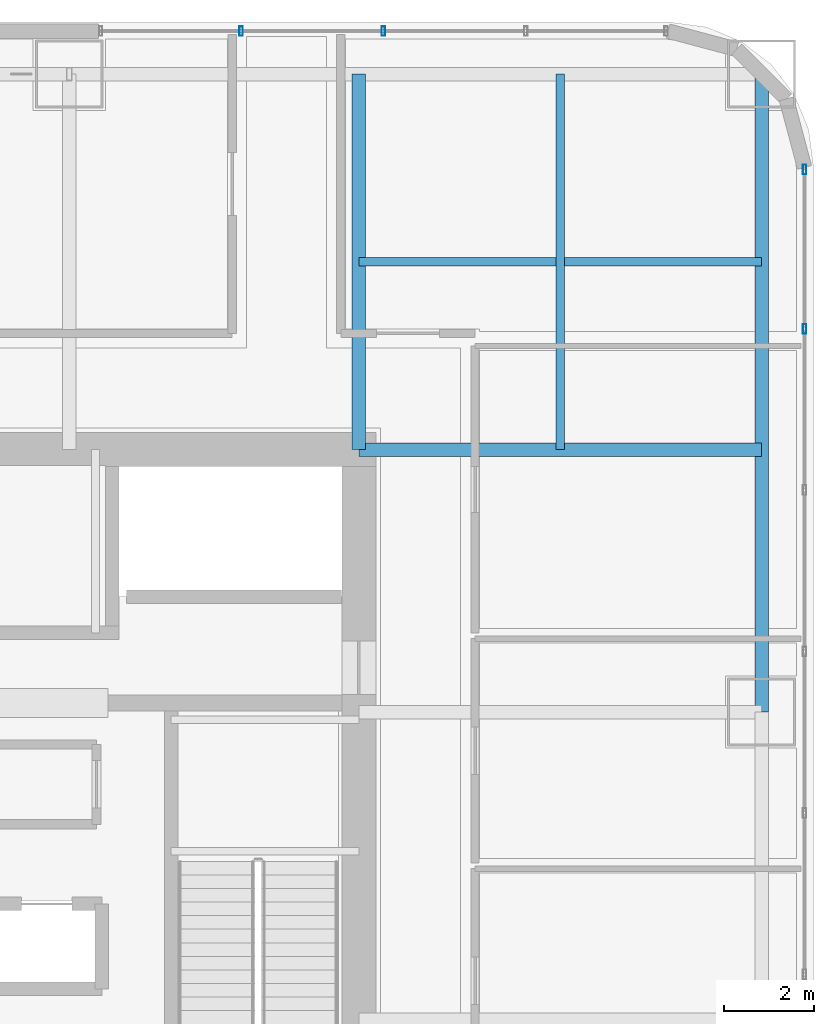
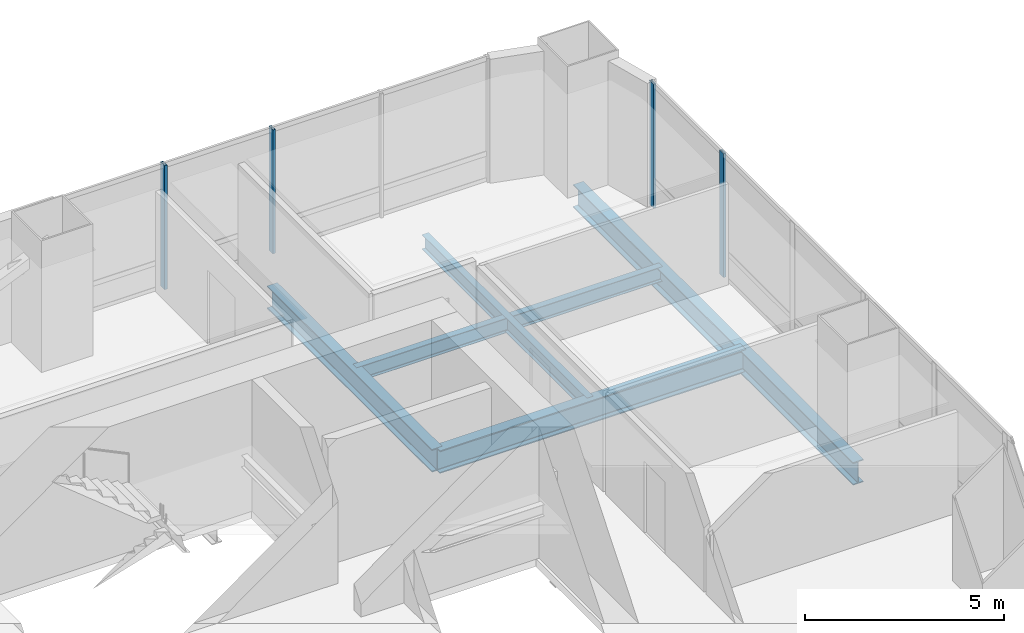
# One storey, part 21 of 37: 5 beams, 4 members, 2 elements without a shape of their own.
"""IFC4 building model written with IfcOpenShell, lengths in metres."""

import ifcopenshell
import ifcopenshell.guid

model = None  # the IFC model being written
_history = None  # IfcOwnerHistory: only IFC2X3 demands one
_inside = {}  # id of a spatial element -> (the spatial element, [elements in it])
_under = {}  # id of a project, library or spatial element -> (it, [spatial elements below it])
_declared = {}  # id of a project -> (the project, [libraries it declares])
_typed = {}  # id of a type object -> (the type object, [elements of that type])
_made_of = {}  # id of a material, layer set ... -> (it, [elements and type objects made of it])


def new_model(schema):
    """Start an empty IFC model of exactly this schema.

    Asked for "IFC4X3", IfcOpenShell would pick the latest addendum, in which some entities
    have other attributes; the version numbers below select the first issue.
    IFC2X3 requires an IfcOwnerHistory on every rooted entity: one is made here for all.
    """
    global model, _history
    if schema == "IFC4X3":
        model = ifcopenshell.file(schema_version=(4, 3, 0, 0))
    else:
        model = ifcopenshell.file(schema=schema)
    _inside.clear()
    _under.clear()
    _declared.clear()
    _typed.clear()
    _made_of.clear()
    _history = None
    if model.schema == "IFC2X3":
        org = make("IfcOrganization", Name="unknown")
        user = make(
            "IfcPersonAndOrganization",
            ThePerson=make("IfcPerson", FamilyName="unknown"),
            TheOrganization=org,
        )
        app = make(
            "IfcApplication",
            ApplicationDeveloper=org,
            Version="unknown",
            ApplicationFullName="unknown",
            ApplicationIdentifier="unknown",
        )
        _history = make(
            "IfcOwnerHistory",
            OwningUser=user,
            OwningApplication=app,
            ChangeAction="ADDED",
            CreationDate=0,
        )
    return model


def make(cls, **values):
    """One entity of the class cls with the attributes given. An attribute that is None is left unset."""
    return model.create_entity(
        cls, **{name: value for name, value in values.items() if value is not None}
    )


def rooted(cls, **values):
    """An entity with a GlobalId (a new one), such as an element, a storey or a relation."""
    return make(cls, GlobalId=ifcopenshell.guid.new(), OwnerHistory=_history, **values)


def si_unit(unit_type, name, prefix=None):
    """IfcSIUnit, for example si_unit("LENGTHUNIT", "METRE", prefix="MILLI")."""
    return make("IfcSIUnit", UnitType=unit_type, Prefix=prefix, Name=name)


def assignment(units):
    """IfcUnitAssignment: the units of a project."""
    return None if units is None else make("IfcUnitAssignment", Units=units)


def point(xyz):
    """IfcCartesianPoint."""
    return None if xyz is None else make("IfcCartesianPoint", Coordinates=xyz)


def direction(xyz):
    """IfcDirection."""
    return None if xyz is None else make("IfcDirection", DirectionRatios=xyz)


def frame(location, z_axis=None, x_axis=None):
    """IfcAxis2Placement3D, a coordinate frame: its origin and axes. An axis left out is left unset."""
    return make(
        "IfcAxis2Placement3D",
        Location=point(location),
        Axis=direction(z_axis),
        RefDirection=direction(x_axis),
    )


def frame_2d(location, x_axis=None):
    """IfcAxis2Placement2D, a coordinate frame in the plane: its origin and x axis."""
    return make(
        "IfcAxis2Placement2D", Location=point(location), RefDirection=direction(x_axis)
    )


def origin():
    """The frame at (0, 0, 0) with its axes left unset."""
    return frame((0.0, 0.0, 0.0))


def origin_2d():
    """The frame at (0, 0) in the plane with its x axis left unset."""
    return frame_2d((0.0, 0.0))


def place(relative_to, where):
    """IfcLocalPlacement: puts the frame where relative to a parent placement (None: the world)."""
    return make(
        "IfcLocalPlacement", PlacementRelTo=relative_to, RelativePlacement=where
    )


def context(
    kind, dimensions, precision=None, world=None, true_north=None, identifier=None
):
    """IfcGeometricRepresentationContext, for example the 3D "Model" context."""
    return make(
        "IfcGeometricRepresentationContext",
        ContextIdentifier=identifier,
        ContextType=kind,
        CoordinateSpaceDimension=dimensions,
        Precision=precision,
        WorldCoordinateSystem=world,
        TrueNorth=true_north,
    )


def subcontext(parent, identifier, kind, view, scale=None):
    """IfcGeometricRepresentationSubContext, for example "Body" below "Model"."""
    return make(
        "IfcGeometricRepresentationSubContext",
        ContextIdentifier=identifier,
        ContextType=kind,
        ParentContext=parent,
        TargetScale=scale,
        TargetView=view,
    )


def project(units=None, contexts=None):
    """IfcProject with its units and contexts."""
    return rooted(
        "IfcProject",
        Name="project",
        RepresentationContexts=contexts,
        UnitsInContext=assignment(units),
    )


def spatial(cls, under=None, at=None, **own):
    """A site, building, storey or space (cls), placed at a placement, below another one or the project."""
    s = rooted(cls, ObjectPlacement=at, **own)
    if under is not None:
        _under.setdefault(under.id(), (under, []))[1].append(s)
    return s


def profile(cls, at=None, kind="AREA", **sizes):
    """A parametric profile (cls). Its sizes go by their IFC names, for example OverallWidth=200.0."""
    return make(cls, ProfileType=kind, Position=at, **sizes)


def hollow_rectangle(**sizes):
    """IfcRectangleHollowProfileDef."""
    return profile("IfcRectangleHollowProfileDef", **sizes)


def i_section(**sizes):
    """IfcIShapeProfileDef."""
    return profile("IfcIShapeProfileDef", **sizes)


def extrude(swept, where, along, depth):
    """IfcExtrudedAreaSolid: the profile swept, set in the frame where, extruded along a direction by depth."""
    return make(
        "IfcExtrudedAreaSolid",
        SweptArea=swept,
        Position=where,
        ExtrudedDirection=direction(along),
        Depth=depth,
    )


def shape(context_of_items, identifier, shape_type, items):
    """IfcShapeRepresentation: the items that make up one representation, for example the "Body"."""
    return make(
        "IfcShapeRepresentation",
        ContextOfItems=context_of_items,
        RepresentationIdentifier=identifier,
        RepresentationType=shape_type,
        Items=items,
    )


def material(Name=None, Category=None):
    """IfcMaterial."""
    return make("IfcMaterial", Name=Name, Category=Category)


def material_profile(
    of_material, cross_section, Name=None, Category=None, Priority=None
):
    """IfcMaterialProfile: a cross section and its material."""
    return make(
        "IfcMaterialProfile",
        Name=Name,
        Material=of_material,
        Profile=cross_section,
        Priority=Priority,
        Category=Category,
    )


def profile_set(profiles, Name=None, composite=None):
    """IfcMaterialProfileSet."""
    return make(
        "IfcMaterialProfileSet",
        Name=Name,
        MaterialProfiles=profiles,
        CompositeProfile=composite,
    )


def made_of(thing, what):
    """Note that an element or type object is made of a material, layer set ...; save() writes the relation."""
    if what is not None:
        _made_of.setdefault(what.id(), (what, []))[1].append(thing)
    return thing


def type_object(cls, material=None, **own):
    """A type object (cls), such as IfcWallType, which elements share."""
    return made_of(rooted(cls, **own), material)


def element(
    cls,
    number,
    at=None,
    inside=None,
    cuts=None,
    type_object=None,
    material=None,
    context=None,
    identifier="Body",
    shape_type=None,
    held_by="IfcProductDefinitionShape",
    body=None,
    shapes=None,
    **own,
):
    """One element of the class cls, such as IfcWall. Its Tag is "e" and its number.

    at: its placement. inside: the storey or other place that contains it. cuts: it is an
    opening in that element (IfcRelVoidsElement). A single representation is given by context,
    identifier, shape_type and body (its items); several are given by shapes. held_by: the class
    of the entity that holds the representations. save() writes the other relations.
    """
    e = rooted(cls, Tag="e%d" % number, ObjectPlacement=at, **own)
    if body is not None:
        shapes = [shape(context, identifier, shape_type, body)]
    if shapes is not None:
        e.Representation = make(held_by, Representations=shapes)
    if inside is not None:
        _inside.setdefault(inside.id(), (inside, []))[1].append(e)
    if cuts is not None:
        rooted(
            "IfcRelVoidsElement", RelatingBuildingElement=cuts, RelatedOpeningElement=e
        )
    if type_object is not None:
        _typed.setdefault(type_object.id(), (type_object, []))[1].append(e)
    return made_of(e, material)


def aggregate(whole, parts):
    """IfcRelAggregates: a whole, such as a stair, and the parts it consists of."""
    return rooted("IfcRelAggregates", RelatingObject=whole, RelatedObjects=parts)


def save(model, path):
    """Write the relations noted so far, then the file.

    IfcRelAggregates (storeys below a building ...), IfcRelContainedInSpatialStructure (elements
    in a storey), IfcRelDefinesByType, IfcRelAssociatesMaterial and IfcRelDeclares: one each for
    every whole, place, type object, material and project.
    """
    for whole, parts in _under.values():
        aggregate(whole, parts)
    for where, things in _inside.values():
        rooted(
            "IfcRelContainedInSpatialStructure",
            RelatedElements=things,
            RelatingStructure=where,
        )
    for kind, things in _typed.values():
        rooted("IfcRelDefinesByType", RelatedObjects=things, RelatingType=kind)
    for what, things in _made_of.values():
        rooted("IfcRelAssociatesMaterial", RelatedObjects=things, RelatingMaterial=what)
    for by, libraries in _declared.values():
        rooted("IfcRelDeclares", RelatingContext=by, RelatedDefinitions=libraries)
    model.write(path)


model = new_model("IFC4")

# Units and contexts
model_context = context("Model", 3, precision=1e-05, world=origin(), true_north=direction((0.0, 1.0)))
body_context = subcontext(model_context, "Body", "Model", "MODEL_VIEW")
ifc_project = project(units=[si_unit("LENGTHUNIT", "METRE"), si_unit("AREAUNIT", "SQUARE_METRE"), si_unit("VOLUMEUNIT", "CUBIC_METRE"), si_unit("PLANEANGLEUNIT", "RADIAN"), si_unit("MASSUNIT", "GRAM", prefix="KILO")], contexts=[model_context])

# Site, building, storey
site_placement = place(None, origin())
site = spatial("IfcSite", under=ifc_project, at=site_placement, CompositionType="ELEMENT")
building_placement = place(site_placement, origin())
building = spatial("IfcBuilding", under=site, at=building_placement, Name="Punatoya Terracotta Tower", CompositionType="ELEMENT")
storey_placement = place(building_placement, frame((0.0, 0.0, 44.39990234375)))
storey = spatial("IfcBuildingStorey", under=building, at=storey_placement, Name="L09", CompositionType="ELEMENT", Elevation=44.39990234375)

# Beams
ifc_material_1 = material(Name="Steel S355", Category="steel")
ifc_material_profile_1 = material_profile(ifc_material_1, i_section(OverallWidth=0.300048828125, OverallDepth=0.699951171875, WebThickness=0.01708984375, FlangeThickness=0.031982421875, FilletRadius=0.01806640625, at=origin_2d()))
ifc_profile_set_1 = profile_set([ifc_material_profile_1], Name="Steel S355")
beam_type_1 = type_object("IfcBeamType", Name="BM-PRI-700", PredefinedType="BEAM", material=ifc_profile_set_1)
beam_1_placement = place(storey_placement, frame((19.10009765625, 3.39990234375, -0.58984375), z_axis=(0.0, 1.0, 0.0), x_axis=(-1.0, 0.0, 0.0)))
element("IfcBeam", 1, at=beam_1_placement, inside=storey, type_object=beam_type_1, Name="BM-L09-RG-E3", PredefinedType="BEAM", context=body_context, shape_type="SweptSolid", body=[
    extrude(i_section(OverallWidth=0.300048828125, OverallDepth=0.699951171875, WebThickness=0.01708984375, FlangeThickness=0.031982421875, FilletRadius=0.01806640625, at=origin_2d()), origin(), (0.0, 0.0, 1.0), 14.10009765625),
])
beam_2_placement = place(storey_placement, frame((10.199951171875, 9.199951171875, -0.58984375), z_axis=(1.0, 0.0, 0.0), x_axis=(0.0, 1.0, 0.0)))
element("IfcBeam", 2, at=beam_2_placement, inside=storey, type_object=beam_type_1, Name="BM-L09-PR-EN", PredefinedType="BEAM", context=body_context, shape_type="SweptSolid", body=[
    extrude(i_section(OverallWidth=0.300048828125, OverallDepth=0.699951171875, WebThickness=0.01708984375, FlangeThickness=0.031982421875, FilletRadius=0.01806640625, at=origin_2d()), origin(), (0.0, 0.0, 1.0), 8.900146484375),
])
beam_3_placement = place(storey_placement, frame((10.199951171875, 9.199951171875, -0.58984375), z_axis=(0.0, 1.0, 0.0), x_axis=(-1.0, 0.0, 0.0)))
element("IfcBeam", 3, at=beam_3_placement, inside=storey, type_object=beam_type_1, Name="BM-L09-PR-N4", PredefinedType="BEAM", context=body_context, shape_type="SweptSolid", body=[
    extrude(i_section(OverallWidth=0.300048828125, OverallDepth=0.699951171875, WebThickness=0.01708984375, FlangeThickness=0.031982421875, FilletRadius=0.01806640625, at=origin_2d()), origin(), (0.0, 0.0, 1.0), 8.300048828125),
])
ifc_material_profile_2 = material_profile(ifc_material_1, i_section(OverallWidth=0.18994140625, OverallDepth=0.449951171875, WebThickness=0.009521484375, FlangeThickness=0.0146484375, FilletRadius=0.01806640625, at=origin_2d()))
ifc_profile_set_2 = profile_set([ifc_material_profile_2], Name="Steel S355")
beam_type_2 = type_object("IfcBeamType", Name="BM-SEC-450", PredefinedType="JOIST", material=ifc_profile_set_2)
beam_4_placement = place(storey_placement, frame((10.199951171875, 13.35009765625, -0.46484375), z_axis=(1.0, 0.0, 0.0), x_axis=(0.0, 1.0, 0.0)))
element("IfcBeam", 4, at=beam_4_placement, inside=storey, type_object=beam_type_2, Name="BM-L09-SJN-2", PredefinedType="JOIST", context=body_context, shape_type="SweptSolid", body=[
    extrude(i_section(OverallWidth=0.18994140625, OverallDepth=0.449951171875, WebThickness=0.009521484375, FlangeThickness=0.0146484375, FilletRadius=0.01806640625, at=origin_2d()), origin(), (0.0, 0.0, 1.0), 8.900146484375),
])
beam_5_placement = place(storey_placement, frame((14.64990234375, 9.199951171875, -0.46484375), z_axis=(0.0, 1.0, 0.0), x_axis=(-1.0, 0.0, 0.0)))
element("IfcBeam", 5, at=beam_5_placement, inside=storey, type_object=beam_type_2, Name="BM-L09-SJE-2", PredefinedType="JOIST", context=body_context, shape_type="SweptSolid", body=[
    extrude(i_section(OverallWidth=0.18994140625, OverallDepth=0.449951171875, WebThickness=0.009521484375, FlangeThickness=0.0146484375, FilletRadius=0.01806640625, at=origin_2d()), origin(), (0.0, 0.0, 1.0), 8.300048828125),
])

# Curtain wall, members
ifc_material_2 = material(Name="Aluminium 6063-T6 + Double Low-E Glass", Category="aluminium")
curtain_wall_type = type_object("IfcCurtainWallType", Name="CW-M1", PredefinedType="NOTDEFINED", material=ifc_material_2)
curtain_wall_1_placement = place(storey_placement, origin())
curtain_wall_1 = element("IfcCurtainWall", 6, at=curtain_wall_1_placement, inside=storey, type_object=curtain_wall_type, Name="L09 Curtain Wall CW-L09-E05-1", PredefinedType="NOTDEFINED")
ifc_material_3 = material(Name="Aluminium 6063-T6", Category="aluminium")
ifc_material_profile_3 = material_profile(ifc_material_3, hollow_rectangle(XDim=0.074951171875, YDim=0.2099609375, WallThickness=0.00439453125, at=origin_2d()))
ifc_profile_set_3 = profile_set([ifc_material_profile_3], Name="Aluminium 6063-T6")
member_type = type_object("IfcMemberType", Name="CW-MUL-M1", PredefinedType="MULLION", material=ifc_profile_set_3)
member_1_placement = place(storey_placement, frame((20.050048828125, 11.869384765625, 0.0), z_axis=(0.0, 0.0, 1.0), x_axis=(1.0, 0.0, 0.0)))
member_1 = element("IfcMember", 7, at=member_1_placement, type_object=member_type, Name="CW-L09-E05-1 Mullion 09", PredefinedType="MULLION", context=body_context, shape_type="SweptSolid", body=[
    extrude(hollow_rectangle(XDim=0.074951171875, YDim=0.2099609375, WallThickness=0.00439453125, at=origin_2d()), origin(), (0.0, 0.0, 1.0), 3.81005859375),
])
member_2_placement = place(storey_placement, frame((20.050048828125, 15.391845703125, 0.0), z_axis=(0.0, 0.0, 1.0), x_axis=(1.0, 0.0, 0.0)))
member_2 = element("IfcMember", 8, at=member_2_placement, type_object=member_type, Name="CW-L09-E05-1 Mullion 10", PredefinedType="MULLION", context=body_context, shape_type="SweptSolid", body=[
    extrude(hollow_rectangle(XDim=0.074951171875, YDim=0.2099609375, WallThickness=0.00439453125, at=origin_2d()), origin(), (0.0, 0.0, 1.0), 3.81005859375),
])
aggregate(curtain_wall_1, [member_1, member_2])

curtain_wall_2_placement = place(storey_placement, origin())
curtain_wall_2 = element("IfcCurtainWall", 9, at=curtain_wall_2_placement, inside=storey, type_object=curtain_wall_type, Name="L09 Curtain Wall CW-L09-N09-1", PredefinedType="NOTDEFINED")
member_3_placement = place(storey_placement, frame((10.743408203125, 18.449951171875, 0.0), z_axis=(0.0, 0.0, 1.0), x_axis=(1.0, 0.0, 0.0)))
member_3 = element("IfcMember", 10, at=member_3_placement, type_object=member_type, Name="CW-L09-N09-1 Mullion 02", PredefinedType="MULLION", context=body_context, shape_type="SweptSolid", body=[
    extrude(hollow_rectangle(XDim=0.074951171875, YDim=0.2099609375, WallThickness=0.00439453125, at=origin_2d()), origin(), (0.0, 0.0, 1.0), 3.81005859375),
])
member_4_placement = place(storey_placement, frame((7.5966796875, 18.449951171875, 0.0), z_axis=(0.0, 0.0, 1.0), x_axis=(1.0, 0.0, 0.0)))
member_4 = element("IfcMember", 11, at=member_4_placement, type_object=member_type, Name="CW-L09-N09-1 Mullion 03", PredefinedType="MULLION", context=body_context, shape_type="SweptSolid", body=[
    extrude(hollow_rectangle(XDim=0.074951171875, YDim=0.2099609375, WallThickness=0.00439453125, at=origin_2d()), origin(), (0.0, 0.0, 1.0), 3.81005859375),
])
aggregate(curtain_wall_2, [member_3, member_4])

save(model, "model.ifc")
